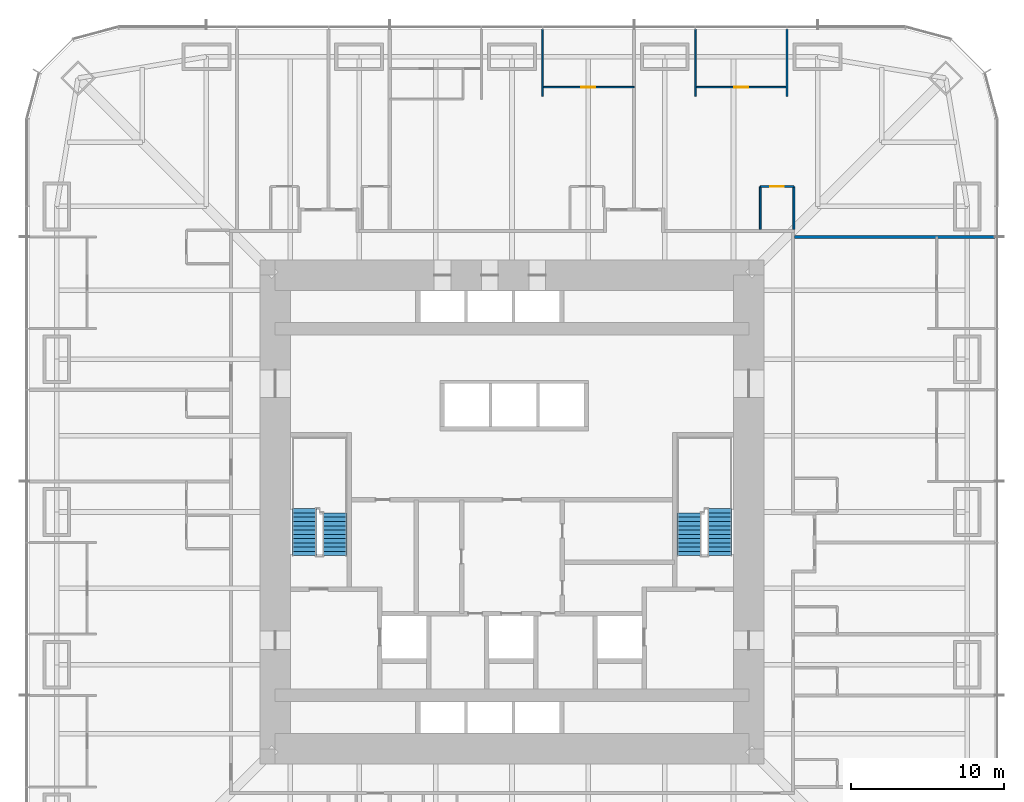
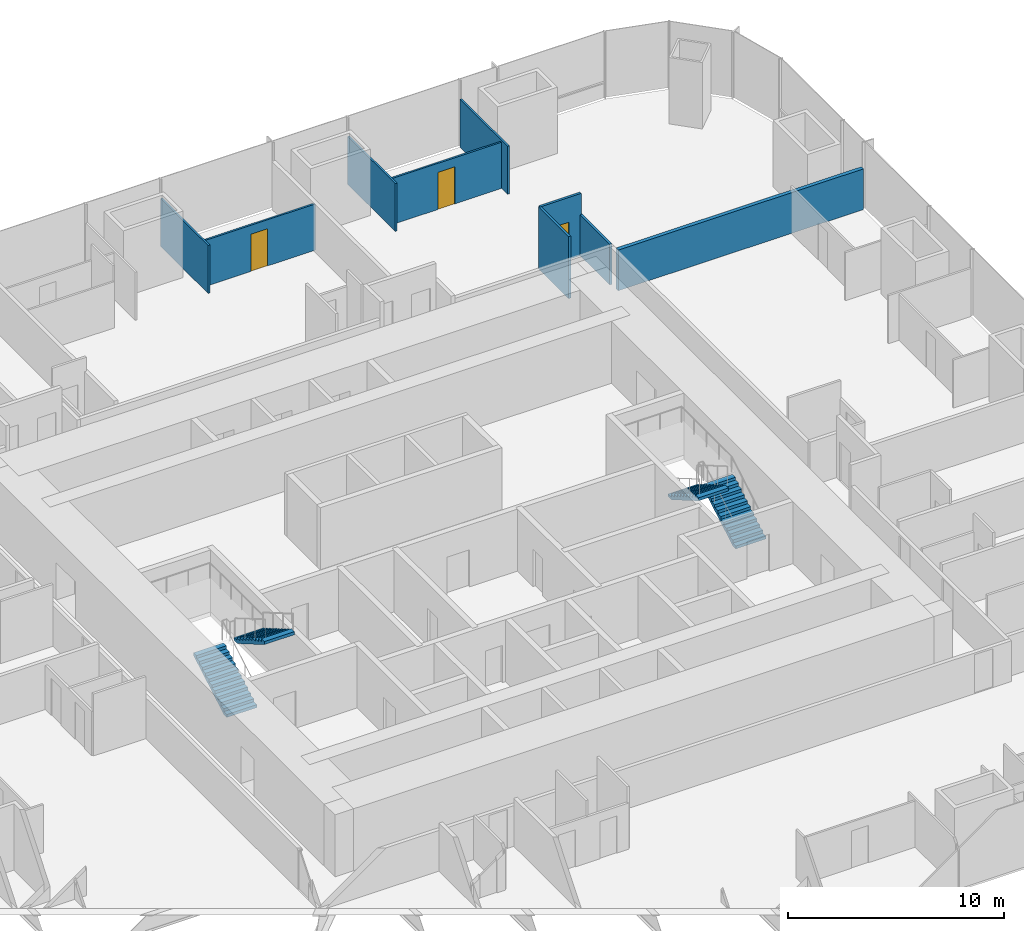
# One storey, part 16 of 17: 9 walls, 4 stair flights, 3 doors, 3 openings, 2 elements without a shape of their own.
"""IFC4 building model written with IfcOpenShell, lengths in metres."""

from ifc_helpers import new_model, si_unit, direction, frame, frame_2d, origin, place, context, subcontext, project, spatial, polyline, rectangle, outline, extrude, material, layer, layer_set, type_object, element, fill, aggregate, save


model = new_model("IFC4")

# Units and contexts
model_context = context("Model", 3, precision=1e-05, world=origin(), true_north=direction((0.0, 1.0)))
body_context = subcontext(model_context, "Body", "Model", "MODEL_VIEW")
ifc_project = project(units=[si_unit("LENGTHUNIT", "METRE"), si_unit("AREAUNIT", "SQUARE_METRE"), si_unit("VOLUMEUNIT", "CUBIC_METRE"), si_unit("PLANEANGLEUNIT", "RADIAN"), si_unit("MASSUNIT", "GRAM", prefix="KILO")], contexts=[model_context])

# Site, building, storey
site_placement = place(None, origin())
site = spatial("IfcSite", under=ifc_project, at=site_placement, CompositionType="ELEMENT")
building_placement = place(site_placement, origin())
building = spatial("IfcBuilding", under=site, at=building_placement, Name="Khuree Lantern Residences", CompositionType="ELEMENT")
storey_placement = place(building_placement, frame((0.0, 0.0, 39.75)))
storey = spatial("IfcBuildingStorey", under=building, at=storey_placement, Name="L09", CompositionType="ELEMENT", Elevation=39.75)

# Wall, opening, door
ifc_material_1 = material(Name="Moisture-resistant gypsum board on steel studs", Category="steel")
ifc_layer_1 = layer(ifc_material_1, 0.125)
ifc_layer_set_1 = layer_set([ifc_layer_1], Name="BATHROOM WALL BTW125")
wall_type_1 = type_object("IfcWallType", Name="BATHROOM WALL BTW125", PredefinedType="PARTITIONING", material=ifc_layer_set_1)
wall_1_placement = place(storey_placement, frame((18.449951171875, 21.300048828125, 0.0), z_axis=(0.0, 0.0, 1.0), x_axis=(-1.0, 0.0, 0.0)))
wall_1 = element("IfcWall", 1, at=wall_1_placement, inside=storey, type_object=wall_type_1, Name="L09 BATHROOM WALL 03", PredefinedType="PARTITIONING", context=body_context, shape_type="SweptSolid", body=[
    extrude(rectangle(XDim=2.199951171875, YDim=0.125, at=frame_2d((1.10009765625, 0.0))), origin(), (0.0, 0.0, 1.0), 3.5),
])
opening_1_placement = place(wall_1_placement, frame((0.64990234375, 0.0, 0.0)))
opening_1 = element("IfcOpeningElement", 2, at=opening_1_placement, cuts=wall_1, Name="Opening 09-027", PredefinedType="OPENING", context=body_context, shape_type="SweptSolid", body=[
    extrude(rectangle(XDim=0.89990234375, YDim=2.10009765625, at=frame_2d((0.449951171875, 1.050048828125))), frame((0.0, 0.072509765625, 0.0), z_axis=(0.0, -1.0, 0.0), x_axis=(1.0, 0.0, 0.0)), (0.0, 0.0, 1.0), 0.14501953125),
])
ifc_material_2 = material(Name="Timber door leaf in hardwood frame", Category="wood")
door_type_1 = type_object("IfcDoorType", Name="BATHROOM DOOR 900X2100", OperationType="SINGLE_SWING_LEFT", PredefinedType="DOOR", material=ifc_material_2)
door_1_placement = place(opening_1_placement, origin())
door_1 = element("IfcDoor", 3, at=door_1_placement, inside=storey, type_object=door_type_1, Name="Bathroom door 09-027", OperationType="SINGLE_SWING_LEFT", OverallHeight=2.10009765625, OverallWidth=0.89990234375, PredefinedType="DOOR", context=body_context, shape_type="SweptSolid", body=[
    extrude(rectangle(XDim=0.89990234375, YDim=2.10009765625, at=frame_2d((0.449951171875, 1.050048828125))), frame((0.0, 0.02490234375, 0.0), z_axis=(0.0, -1.0, 0.0), x_axis=(1.0, 0.0, 0.0)), (0.0, 0.0, 1.0), 0.050048828125),
])
fill(opening_1, door_1)

# Walls
wall_2_placement = place(storey_placement, frame((18.449951171875, 18.5, 0.0), z_axis=(0.0, 0.0, 1.0), x_axis=(0.0, 1.0, 0.0)))
element("IfcWall", 4, at=wall_2_placement, inside=storey, type_object=wall_type_1, Name="L09 BATHROOM WALL 03", PredefinedType="PARTITIONING", context=body_context, shape_type="SweptSolid", body=[
    extrude(rectangle(XDim=2.800048828125, YDim=0.125, at=frame_2d((1.39990234375, 0.0))), origin(), (0.0, 0.0, 1.0), 2.300048828125),
])
wall_3_placement = place(storey_placement, frame((16.25, 18.5, 0.0), z_axis=(0.0, 0.0, 1.0), x_axis=(0.0, 1.0, 0.0)))
element("IfcWall", 5, at=wall_3_placement, inside=storey, type_object=wall_type_1, Name="L09 BATHROOM WALL 03", PredefinedType="PARTITIONING", context=body_context, shape_type="SweptSolid", body=[
    extrude(rectangle(XDim=2.800048828125, YDim=0.125, at=frame_2d((1.39990234375, 0.0))), origin(), (0.0, 0.0, 1.0), 3.5),
])
ifc_material_3 = material(Name="Gypsum board on steel studs", Category="steel")
ifc_layer_2 = layer(ifc_material_3, 0.199951171875)
ifc_layer_set_2 = layer_set([ifc_layer_2], Name="DEMISING WALL DMW200 EI 90")
wall_type_2 = type_object("IfcWallType", Name="DEMISING WALL DMW200 EI 90", PredefinedType="PARTITIONING", material=ifc_layer_set_2)
wall_4_placement = place(storey_placement, frame((18.5, 18.0, 0.0), z_axis=(0.0, 0.0, 1.0), x_axis=(1.0, 0.0, 0.0)))
element("IfcWall", 6, at=wall_4_placement, inside=storey, type_object=wall_type_2, Name="L09 DEMISING WALL 03", PredefinedType="PARTITIONING", context=body_context, shape_type="SweptSolid", body=[
    extrude(rectangle(XDim=13.10009765625, YDim=0.199951171875, at=frame_2d((6.550048828125, 0.0))), origin(), (0.0, 0.0, 1.0), 2.300048828125),
])
ifc_layer_3 = layer(ifc_material_3, 0.10009765625)
ifc_layer_set_3 = layer_set([ifc_layer_3], Name="PARTITION PT100")
wall_type_3 = type_object("IfcWallType", Name="PARTITION PT100", PredefinedType="PARTITIONING", material=ifc_layer_set_3)
for number, where, z_axis, x_axis, name in (
    (7, (18.0, 27.199951171875, 0.0), (0.0, 0.0, 1.0), (0.0, 1.0, 0.0), "L09 PARTITION 03"),
    (8, (12.0, 27.199951171875, 0.0), (0.0, 0.0, 1.0), (0.0, 1.0, 0.0), "L09 PARTITION 03"),
    (9, (2.0, 27.199951171875, 0.0), (0.0, 0.0, 1.0), (0.0, 1.0, 0.0), "L09 PARTITION 04"),
):
    element("IfcWall", number, at=place(storey_placement, frame(where, z_axis=z_axis, x_axis=x_axis)), inside=storey, type_object=wall_type_3, Name=name, PredefinedType="PARTITIONING", context=body_context, shape_type="SweptSolid", body=[
        extrude(rectangle(XDim=4.400146484375, YDim=0.10009765625, at=frame_2d((2.2001953125, 0.0))), origin(), (0.0, 0.0, 1.0), 2.7099609375),
    ])

# Wall, opening, door
wall_5_placement = place(storey_placement, frame((18.0, 27.800048828125, 0.0), z_axis=(0.0, 0.0, 1.0), x_axis=(-1.0, 0.0, 0.0)))
wall_5 = element("IfcWall", 10, at=wall_5_placement, inside=storey, type_object=wall_type_3, Name="L09 PARTITION 03", PredefinedType="PARTITIONING", context=body_context, shape_type="SweptSolid", body=[
    extrude(rectangle(XDim=6.0, YDim=0.10009765625, at=frame_2d((3.0, 0.0))), origin(), (0.0, 0.0, 1.0), 2.610107421875),
])
opening_2_placement = place(wall_5_placement, frame((2.550048828125, 0.0, 0.0)))
opening_2 = element("IfcOpeningElement", 11, at=opening_2_placement, cuts=wall_5, Name="Opening 09-026", PredefinedType="OPENING", context=body_context, shape_type="SweptSolid", body=[
    extrude(rectangle(XDim=0.89990234375, YDim=2.10009765625, at=frame_2d((0.449951171875, 1.050048828125))), frame((0.0, 0.06005859375, 0.0), z_axis=(0.0, -1.0, 0.0), x_axis=(1.0, 0.0, 0.0)), (0.0, 0.0, 1.0), 0.1201171875),
])
door_type_2 = type_object("IfcDoorType", Name="BEDROOM DOOR 900X2100", OperationType="SINGLE_SWING_LEFT", PredefinedType="DOOR", material=ifc_material_2)
door_2_placement = place(opening_2_placement, origin())
door_2 = element("IfcDoor", 12, at=door_2_placement, inside=storey, type_object=door_type_2, Name="Bedroom door 09-026", OperationType="SINGLE_SWING_LEFT", OverallHeight=2.10009765625, OverallWidth=0.89990234375, PredefinedType="DOOR", context=body_context, shape_type="SweptSolid", body=[
    extrude(rectangle(XDim=0.89990234375, YDim=2.10009765625, at=frame_2d((0.449951171875, 1.050048828125))), frame((0.0, 0.02490234375, 0.0), z_axis=(0.0, -1.0, 0.0), x_axis=(1.0, 0.0, 0.0)), (0.0, 0.0, 1.0), 0.050048828125),
])
fill(opening_2, door_2)

wall_6_placement = place(storey_placement, frame((8.0, 27.800048828125, 0.0), z_axis=(0.0, 0.0, 1.0), x_axis=(-1.0, 0.0, 0.0)))
wall_6 = element("IfcWall", 13, at=wall_6_placement, inside=storey, type_object=wall_type_3, Name="L09 PARTITION 04", PredefinedType="PARTITIONING", context=body_context, shape_type="SweptSolid", body=[
    extrude(rectangle(XDim=6.0, YDim=0.10009765625, at=frame_2d((3.0, 0.0))), origin(), (0.0, 0.0, 1.0), 2.610107421875),
])
opening_3_placement = place(wall_6_placement, frame((2.550048828125, 0.0, 0.0)))
opening_3 = element("IfcOpeningElement", 14, at=opening_3_placement, cuts=wall_6, Name="Opening 09-029", PredefinedType="OPENING", context=body_context, shape_type="SweptSolid", body=[
    extrude(rectangle(XDim=0.89990234375, YDim=2.10009765625, at=frame_2d((0.449951171875, 1.050048828125))), frame((0.0, 0.06005859375, 0.0), z_axis=(0.0, -1.0, 0.0), x_axis=(1.0, 0.0, 0.0)), (0.0, 0.0, 1.0), 0.1201171875),
])
door_3_placement = place(opening_3_placement, origin())
door_3 = element("IfcDoor", 15, at=door_3_placement, inside=storey, type_object=door_type_2, Name="Bedroom door 09-029", OperationType="SINGLE_SWING_LEFT", OverallHeight=2.10009765625, OverallWidth=0.89990234375, PredefinedType="DOOR", context=body_context, shape_type="SweptSolid", body=[
    extrude(rectangle(XDim=0.89990234375, YDim=2.10009765625, at=frame_2d((0.449951171875, 1.050048828125))), frame((0.0, 0.02490234375, 0.0), z_axis=(0.0, -1.0, 0.0), x_axis=(1.0, 0.0, 0.0)), (0.0, 0.0, 1.0), 0.050048828125),
])
fill(opening_3, door_3)

# Stair, stair flights
ifc_material_4 = material(Name="Concrete C40/50", Category="concrete")
stair_type = type_object("IfcStairType", Name="STAIR ST1 HALF TURN 3600", PredefinedType="HALF_TURN_STAIR", material=ifc_material_4)
stair_1_placement = place(storey_placement, origin())
stair_1 = element("IfcStair", 16, at=stair_1_placement, inside=storey, type_object=stair_type, Name="Stair ST1", PredefinedType="HALF_TURN_STAIR")
stair_flight_type = type_object("IfcStairFlightType", Name="STAIR FLIGHT SF1 1600", PredefinedType="STRAIGHT", material=ifc_material_4)
stair_flight_1_placement = place(storey_placement, frame((-13.60009765625, -2.860107421875, 0.0), z_axis=(0.0, 0.0, 1.0), x_axis=(0.0, 1.0, 0.0)))
stair_flight_1 = element("IfcStairFlight", 17, at=stair_flight_1_placement, type_object=stair_flight_type, Name="ST1 flight 1", NumberOfRisers=12, NumberOfTreads=11, PredefinedType="STRAIGHT", RiserHeight=0.163043478, TreadLength=0.28, context=body_context, shape_type="SweptSolid", body=[
    extrude(outline(polyline([(0.0, 0.0), (0.0, 0.1630859375), (0.280029296875, 0.1630859375), (0.280029296875, 0.326171875), (0.56005859375, 0.326171875), (0.56005859375, 0.489013671875), (0.840087890625, 0.489013671875), (0.840087890625, 0.652099609375), (1.1201171875, 0.652099609375), (1.1201171875, 0.815185546875), (1.39990234375, 0.815185546875), (1.39990234375, 0.978271484375), (1.679931640625, 0.978271484375), (1.679931640625, 1.141357421875), (1.9599609375, 1.141357421875), (1.9599609375, 1.304443359375), (2.239990234375, 1.304443359375), (2.239990234375, 1.46728515625), (2.52001953125, 1.46728515625), (2.52001953125, 1.63037109375), (2.800048828125, 1.63037109375), (2.800048828125, 1.79345703125), (3.080078125, 1.79345703125), (3.080078125, 1.95654296875), (3.080078125, 1.6201171875), (0.2978515625, 0.0), (0.0, 0.0)])), frame((0.0, 0.800048828125, 0.0), z_axis=(0.0, -1.0, 0.0), x_axis=(1.0, 0.0, 0.0)), (0.0, 0.0, 1.0), 1.60009765625),
])
stair_flight_2_placement = place(storey_placement, frame((-11.60009765625, -0.06005859375, 1.95654296875), z_axis=(0.0, 0.0, 1.0), x_axis=(0.0, -1.0, 0.0)))
stair_flight_2 = element("IfcStairFlight", 18, at=stair_flight_2_placement, type_object=stair_flight_type, Name="ST1 flight 2", NumberOfRisers=11, NumberOfTreads=10, PredefinedType="STRAIGHT", RiserHeight=0.163043478, TreadLength=0.28, context=body_context, shape_type="SweptSolid", body=[
    extrude(outline(polyline([(0.0, 0.0), (0.0, 0.1630859375), (0.280029296875, 0.1630859375), (0.280029296875, 0.326171875), (0.56005859375, 0.326171875), (0.56005859375, 0.489013671875), (0.840087890625, 0.489013671875), (0.840087890625, 0.652099609375), (1.1201171875, 0.652099609375), (1.1201171875, 0.815185546875), (1.39990234375, 0.815185546875), (1.39990234375, 0.978271484375), (1.679931640625, 0.978271484375), (1.679931640625, 1.141357421875), (1.9599609375, 1.141357421875), (1.9599609375, 1.304443359375), (2.239990234375, 1.304443359375), (2.239990234375, 1.46728515625), (2.52001953125, 1.46728515625), (2.52001953125, 1.63037109375), (2.800048828125, 1.63037109375), (2.800048828125, 1.79345703125), (2.800048828125, 1.45703125), (0.2978515625, 0.0), (0.0, 0.0)])), frame((0.0, 0.800048828125, 0.0), z_axis=(0.0, -1.0, 0.0), x_axis=(1.0, 0.0, 0.0)), (0.0, 0.0, 1.0), 1.60009765625),
])
aggregate(stair_1, [stair_flight_1, stair_flight_2])

stair_2_placement = place(storey_placement, origin())
stair_2 = element("IfcStair", 19, at=stair_2_placement, inside=storey, type_object=stair_type, Name="Stair ST2", PredefinedType="HALF_TURN_STAIR")
stair_flight_3_placement = place(storey_placement, frame((13.60009765625, -2.860107421875, 0.0), z_axis=(0.0, 0.0, 1.0), x_axis=(0.0, 1.0, 0.0)))
stair_flight_3 = element("IfcStairFlight", 20, at=stair_flight_3_placement, type_object=stair_flight_type, Name="ST2 flight 1", NumberOfRisers=12, NumberOfTreads=11, PredefinedType="STRAIGHT", RiserHeight=0.163043478, TreadLength=0.28, context=body_context, shape_type="SweptSolid", body=[
    extrude(outline(polyline([(0.0, 0.0), (0.0, 0.1630859375), (0.280029296875, 0.1630859375), (0.280029296875, 0.326171875), (0.56005859375, 0.326171875), (0.56005859375, 0.489013671875), (0.840087890625, 0.489013671875), (0.840087890625, 0.652099609375), (1.1201171875, 0.652099609375), (1.1201171875, 0.815185546875), (1.39990234375, 0.815185546875), (1.39990234375, 0.978271484375), (1.679931640625, 0.978271484375), (1.679931640625, 1.141357421875), (1.9599609375, 1.141357421875), (1.9599609375, 1.304443359375), (2.239990234375, 1.304443359375), (2.239990234375, 1.46728515625), (2.52001953125, 1.46728515625), (2.52001953125, 1.63037109375), (2.800048828125, 1.63037109375), (2.800048828125, 1.79345703125), (3.080078125, 1.79345703125), (3.080078125, 1.95654296875), (3.080078125, 1.6201171875), (0.2978515625, 0.0), (0.0, 0.0)])), frame((0.0, 0.800048828125, 0.0), z_axis=(0.0, -1.0, 0.0), x_axis=(1.0, 0.0, 0.0)), (0.0, 0.0, 1.0), 1.60009765625),
])
stair_flight_4_placement = place(storey_placement, frame((11.60009765625, -0.06005859375, 1.95654296875), z_axis=(0.0, 0.0, 1.0), x_axis=(0.0, -1.0, 0.0)))
stair_flight_4 = element("IfcStairFlight", 21, at=stair_flight_4_placement, type_object=stair_flight_type, Name="ST2 flight 2", NumberOfRisers=11, NumberOfTreads=10, PredefinedType="STRAIGHT", RiserHeight=0.163043478, TreadLength=0.28, context=body_context, shape_type="SweptSolid", body=[
    extrude(outline(polyline([(0.0, 0.0), (0.0, 0.1630859375), (0.280029296875, 0.1630859375), (0.280029296875, 0.326171875), (0.56005859375, 0.326171875), (0.56005859375, 0.489013671875), (0.840087890625, 0.489013671875), (0.840087890625, 0.652099609375), (1.1201171875, 0.652099609375), (1.1201171875, 0.815185546875), (1.39990234375, 0.815185546875), (1.39990234375, 0.978271484375), (1.679931640625, 0.978271484375), (1.679931640625, 1.141357421875), (1.9599609375, 1.141357421875), (1.9599609375, 1.304443359375), (2.239990234375, 1.304443359375), (2.239990234375, 1.46728515625), (2.52001953125, 1.46728515625), (2.52001953125, 1.63037109375), (2.800048828125, 1.63037109375), (2.800048828125, 1.79345703125), (2.800048828125, 1.45703125), (0.2978515625, 0.0), (0.0, 0.0)])), frame((0.0, 0.800048828125, 0.0), z_axis=(0.0, -1.0, 0.0), x_axis=(1.0, 0.0, 0.0)), (0.0, 0.0, 1.0), 1.60009765625),
])
aggregate(stair_2, [stair_flight_3, stair_flight_4])

save(model, "model.ifc")
